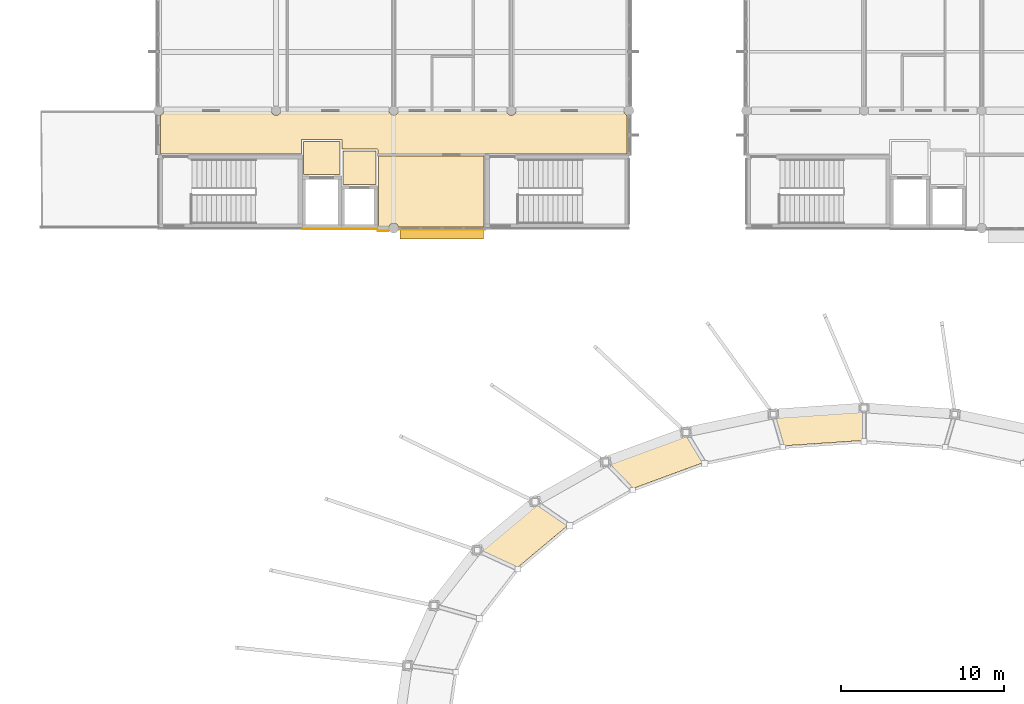
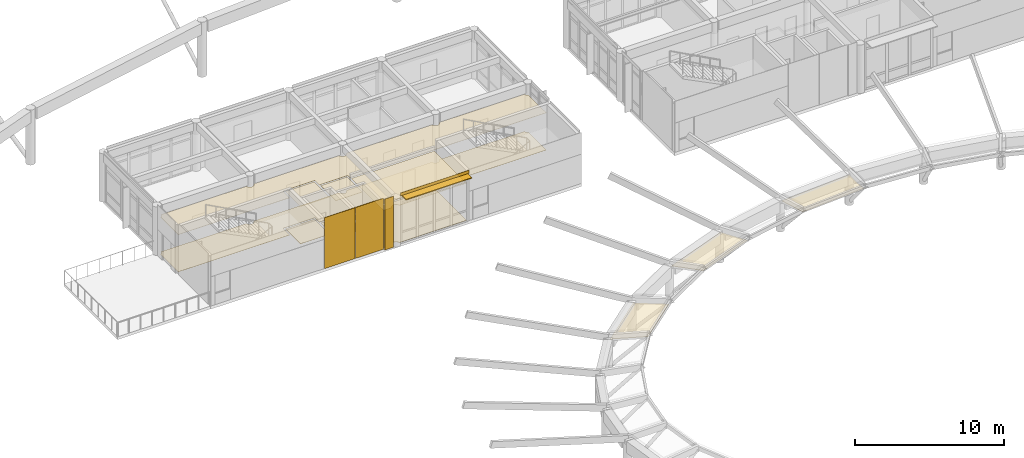
# One storey, part 32 of 37: 15 coverings, 1 shading device.
"""IFC4 building model written with IfcOpenShell, lengths in metres."""

from ifc_helpers import new_model, si_unit, direction, frame, origin, origin_2d, place, context, subcontext, project, spatial, polyline, rectangle, outline, extrude, material, layer, layer_set, type_object, element, save


model = new_model("IFC4")

# Units and contexts
model_context = context("Model", 3, precision=1e-05, world=origin(), true_north=direction((0.0, 1.0)))
body_context = subcontext(model_context, "Body", "Model", "MODEL_VIEW")
ifc_project = project(units=[si_unit("LENGTHUNIT", "METRE"), si_unit("AREAUNIT", "SQUARE_METRE"), si_unit("VOLUMEUNIT", "CUBIC_METRE"), si_unit("PLANEANGLEUNIT", "RADIAN"), si_unit("MASSUNIT", "GRAM", prefix="KILO")], contexts=[model_context])

# Site, building, storey
site_placement = place(None, origin())
site = spatial("IfcSite", under=ifc_project, at=site_placement, CompositionType="ELEMENT")
building_placement = place(site_placement, origin())
building = spatial("IfcBuilding", under=site, at=building_placement, Name="Namkhue Oval Health Centre", CompositionType="ELEMENT")
storey_placement = place(building_placement, frame((0.0, 0.0, 22.199951171875)))
storey = spatial("IfcBuildingStorey", under=building, at=storey_placement, Name="L05", CompositionType="ELEMENT", Elevation=22.199951171875)

# Coverings
ifc_material_1 = material(Name="Acoustic mineral-fibre cleanroom ceiling", Category="gypsum")
ifc_layer_1 = layer(ifc_material_1, 0.02001953125)
ifc_layer_set_1 = layer_set([ifc_layer_1], Name="Acoustic mineral-fibre cleanroom ceiling")
covering_type_1 = type_object("IfcCoveringType", Name="ACOUSTIC CLEANROOM CEILING 20", PredefinedType="CEILING", material=ifc_layer_set_1)
covering_1_placement = place(storey_placement, frame((0.0, 0.0, 3.050048828125)))
element("IfcCovering", 1, at=covering_1_placement, inside=storey, type_object=covering_type_1, Name="Acoustic Ceiling L05-LL1 Lift Lobby LF-01", PredefinedType="CEILING", context=body_context, shape_type="SweptSolid", body=[
    extrude(outline(polyline([(66.47998046875, 93.280029296875), (66.47998046875, 95.320068359375), (68.719970703125, 95.320068359375), (68.719970703125, 93.280029296875), (66.47998046875, 93.280029296875)])), origin(), (0.0, 0.0, 1.0), 0.02001953125),
])
covering_2_placement = place(storey_placement, frame((0.0, 0.0, 3.050048828125)))
element("IfcCovering", 2, at=covering_2_placement, inside=storey, type_object=covering_type_1, Name="Acoustic Ceiling L05-LL2 Lift Lobby LF-02", PredefinedType="CEILING", context=body_context, shape_type="SweptSolid", body=[
    extrude(outline(polyline([(68.8798828125, 92.679931640625), (68.8798828125, 94.719970703125), (70.919921875, 94.719970703125), (70.919921875, 92.679931640625), (68.8798828125, 92.679931640625)])), origin(), (0.0, 0.0, 1.0), 0.02001953125),
])
covering_3_placement = place(storey_placement, frame((0.0, 0.0, 3.050048828125)))
element("IfcCovering", 3, at=covering_3_placement, inside=storey, type_object=covering_type_1, Name="Acoustic Ceiling L05-V2-C1 V2 Clinical Corridor", PredefinedType="CEILING", context=body_context, shape_type="SweptSolid", body=[
    extrude(outline(polyline([(71.0400390625, 94.800048828125), (71.037109375, 94.815185546875), (71.0283203125, 94.828369140625), (71.015380859375, 94.8369140625), (71.0, 94.840087890625), (68.840087890625, 94.840087890625), (68.83984375, 95.40380859375), (68.8369140625, 95.415283203125), (68.828369140625, 95.42822265625), (68.815185546875, 95.43701171875), (68.803955078125, 95.439697265625), (66.39990234375, 95.43994140625), (66.384765625, 95.43701171875), (66.37158203125, 95.42822265625), (66.363037109375, 95.415283203125), (66.360107421875, 95.39990234375), (66.360107421875, 94.5400390625), (57.72509765625, 94.5400390625), (57.72509765625, 96.919189453125), (57.7548828125, 96.931396484375), (57.819091796875, 96.980712890625), (57.868408203125, 97.044921875), (57.8994140625, 97.119873046875), (57.90478515625, 97.159912109375), (64.520263671875, 97.159912109375), (64.524658203125, 97.126220703125), (64.55322265625, 97.0576171875), (64.598388671875, 96.99853515625), (64.657470703125, 96.953125), (64.726318359375, 96.9248046875), (64.800048828125, 96.9150390625), (64.873779296875, 96.9248046875), (64.9423828125, 96.953125), (65.00146484375, 96.99853515625), (65.046875, 97.0576171875), (65.0751953125, 97.126220703125), (65.07958984375, 97.159912109375), (71.72021484375, 97.159912109375), (71.724609375, 97.126220703125), (71.753173828125, 97.0576171875), (71.798583984375, 96.99853515625), (71.857421875, 96.953125), (71.92626953125, 96.9248046875), (72.0, 96.9150390625), (72.07373046875, 96.9248046875), (72.142578125, 96.953125), (72.201416015625, 96.99853515625), (72.246826171875, 97.0576171875), (72.275390625, 97.126220703125), (72.27978515625, 97.159912109375), (78.92041015625, 97.159912109375), (78.9248046875, 97.126220703125), (78.953125, 97.0576171875), (78.99853515625, 96.99853515625), (79.0576171875, 96.953125), (79.126220703125, 96.9248046875), (79.199951171875, 96.9150390625), (79.273681640625, 96.9248046875), (79.342529296875, 96.953125), (79.401611328125, 96.99853515625), (79.44677734375, 97.0576171875), (79.475341796875, 97.126220703125), (79.479736328125, 97.159912109375), (86.09521484375, 97.159912109375), (86.1005859375, 97.119873046875), (86.131591796875, 97.044921875), (86.180908203125, 96.980712890625), (86.2451171875, 96.931396484375), (86.27490234375, 96.919189453125), (86.27490234375, 94.5400390625), (71.0400390625, 94.5400390625), (71.0400390625, 94.800048828125)])), origin(), (0.0, 0.0, 1.0), 0.02001953125),
])
covering_4_placement = place(storey_placement, frame((0.0, 0.0, 3.050048828125)))
element("IfcCovering", 4, at=covering_4_placement, inside=storey, type_object=covering_type_1, Name="Acoustic Ceiling L05-207 North Terrace Antenatal Lounge", PredefinedType="CEILING", context=body_context, shape_type="SweptSolid", body=[
    extrude(outline(polyline([(72.297607421875, 90.0849609375), (72.2685546875, 90.155029296875), (72.21923828125, 90.21923828125), (72.155029296875, 90.2685546875), (72.080078125, 90.29931640625), (72.0, 90.31005859375), (71.919921875, 90.29931640625), (71.844970703125, 90.2685546875), (71.78076171875, 90.21923828125), (71.7314453125, 90.155029296875), (71.702392578125, 90.0849609375), (71.080078125, 90.0849609375), (71.080078125, 94.419921875), (77.52001953125, 94.419921875), (77.52001953125, 90.0849609375), (72.297607421875, 90.0849609375)])), origin(), (0.0, 0.0, 1.0), 0.02001953125),
])
ifc_material_2 = material(Name="Homogeneous anti-bacterial clinical vinyl flooring", Category="plastic")
ifc_layer_2 = layer(ifc_material_2, 0.014892578125)
ifc_layer_set_2 = layer_set([ifc_layer_2], Name="Homogeneous anti-bacterial clinical vinyl flooring")
covering_type_2 = type_object("IfcCoveringType", Name="CLINICAL ANTIBACTERIAL VINYL FLOORING 15", PredefinedType="FLOORING", material=ifc_layer_set_2)
covering_5_placement = place(storey_placement, origin())
element("IfcCovering", 5, at=covering_5_placement, inside=storey, type_object=covering_type_2, Name="Clinical Flooring L05-LL1 Lift Lobby LF-01", PredefinedType="FLOORING", context=body_context, shape_type="SweptSolid", body=[
    extrude(outline(polyline([(66.47998046875, 93.280029296875), (66.47998046875, 95.320068359375), (68.719970703125, 95.320068359375), (68.719970703125, 93.280029296875), (66.47998046875, 93.280029296875)])), origin(), (0.0, 0.0, 1.0), 0.01513671875),
])
covering_6_placement = place(storey_placement, origin())
element("IfcCovering", 6, at=covering_6_placement, inside=storey, type_object=covering_type_2, Name="Clinical Flooring L05-LL2 Lift Lobby LF-02", PredefinedType="FLOORING", context=body_context, shape_type="SweptSolid", body=[
    extrude(outline(polyline([(68.8798828125, 92.679931640625), (68.8798828125, 94.719970703125), (70.919921875, 94.719970703125), (70.919921875, 92.679931640625), (68.8798828125, 92.679931640625)])), origin(), (0.0, 0.0, 1.0), 0.01513671875),
])
covering_7_placement = place(storey_placement, origin())
element("IfcCovering", 7, at=covering_7_placement, inside=storey, type_object=covering_type_2, Name="Clinical Flooring L05-V2-C1 V2 Clinical Corridor", PredefinedType="FLOORING", context=body_context, shape_type="SweptSolid", body=[
    extrude(outline(polyline([(71.0400390625, 94.800048828125), (71.037109375, 94.815185546875), (71.0283203125, 94.828369140625), (71.015380859375, 94.8369140625), (71.0, 94.840087890625), (68.840087890625, 94.840087890625), (68.83984375, 95.40380859375), (68.8369140625, 95.415283203125), (68.828369140625, 95.42822265625), (68.815185546875, 95.43701171875), (68.803955078125, 95.439697265625), (66.39990234375, 95.43994140625), (66.384765625, 95.43701171875), (66.37158203125, 95.42822265625), (66.363037109375, 95.415283203125), (66.360107421875, 95.39990234375), (66.360107421875, 94.5400390625), (57.72509765625, 94.5400390625), (57.72509765625, 96.919189453125), (57.7548828125, 96.931396484375), (57.819091796875, 96.980712890625), (57.868408203125, 97.044921875), (57.8994140625, 97.119873046875), (57.90478515625, 97.159912109375), (64.520263671875, 97.159912109375), (64.524658203125, 97.126220703125), (64.55322265625, 97.0576171875), (64.598388671875, 96.99853515625), (64.657470703125, 96.953125), (64.726318359375, 96.9248046875), (64.800048828125, 96.9150390625), (64.873779296875, 96.9248046875), (64.9423828125, 96.953125), (65.00146484375, 96.99853515625), (65.046875, 97.0576171875), (65.0751953125, 97.126220703125), (65.07958984375, 97.159912109375), (71.72021484375, 97.159912109375), (71.724609375, 97.126220703125), (71.753173828125, 97.0576171875), (71.798583984375, 96.99853515625), (71.857421875, 96.953125), (71.92626953125, 96.9248046875), (72.0, 96.9150390625), (72.07373046875, 96.9248046875), (72.142578125, 96.953125), (72.201416015625, 96.99853515625), (72.246826171875, 97.0576171875), (72.275390625, 97.126220703125), (72.27978515625, 97.159912109375), (78.92041015625, 97.159912109375), (78.9248046875, 97.126220703125), (78.953125, 97.0576171875), (78.99853515625, 96.99853515625), (79.0576171875, 96.953125), (79.126220703125, 96.9248046875), (79.199951171875, 96.9150390625), (79.273681640625, 96.9248046875), (79.342529296875, 96.953125), (79.401611328125, 96.99853515625), (79.44677734375, 97.0576171875), (79.475341796875, 97.126220703125), (79.479736328125, 97.159912109375), (86.09521484375, 97.159912109375), (86.1005859375, 97.119873046875), (86.131591796875, 97.044921875), (86.180908203125, 96.980712890625), (86.2451171875, 96.931396484375), (86.27490234375, 96.919189453125), (86.27490234375, 94.5400390625), (71.0400390625, 94.5400390625), (71.0400390625, 94.800048828125)])), origin(), (0.0, 0.0, 1.0), 0.01513671875),
])
covering_8_placement = place(storey_placement, origin())
element("IfcCovering", 8, at=covering_8_placement, inside=storey, type_object=covering_type_2, Name="Clinical Flooring L05-207 North Terrace Antenatal Lounge", PredefinedType="FLOORING", context=body_context, shape_type="SweptSolid", body=[
    extrude(outline(polyline([(72.297607421875, 90.0849609375), (72.2685546875, 90.155029296875), (72.21923828125, 90.21923828125), (72.155029296875, 90.2685546875), (72.080078125, 90.29931640625), (72.0, 90.31005859375), (71.919921875, 90.29931640625), (71.844970703125, 90.2685546875), (71.78076171875, 90.21923828125), (71.7314453125, 90.155029296875), (71.702392578125, 90.0849609375), (71.080078125, 90.0849609375), (71.080078125, 94.419921875), (77.52001953125, 94.419921875), (77.52001953125, 90.0849609375), (72.297607421875, 90.0849609375)])), origin(), (0.0, 0.0, 1.0), 0.01513671875),
])
ifc_material_3 = material(Name="Slatted FSC timber acoustic soffit lining", Category="wood")
ifc_layer_3 = layer(ifc_material_3, 0.0400390625)
ifc_layer_set_3 = layer_set([ifc_layer_3], Name="Slatted FSC timber acoustic soffit lining")
covering_type_3 = type_object("IfcCoveringType", Name="SLATTED TIMBER SOFFIT CEILING 40", PredefinedType="CEILING", material=ifc_layer_set_3)
covering_9_placement = place(storey_placement, frame((100.758056640625, 78.908935546875, 2.40185546875), z_axis=(-0.001296762498, 0.019156349547, 0.999815659349), x_axis=(-0.997715626831, -0.067553889434, 2.85764e-07)))
element("IfcCovering", 9, at=covering_9_placement, inside=storey, type_object=covering_type_3, Name="Gridshell Canopy Slatted Timber Soffit K6-9", PredefinedType="CEILING", context=body_context, shape_type="SweptSolid", body=[
    extrude(outline(polyline([(0.0, 0.0), (5.464386997944695, -5.551115123125783e-17), (5.052832526387066, 1.8945389594800466), (0.12826334001554407, 1.8946935822899484), (0.0, 0.0)])), origin(), (0.0, 0.0, -1.0), 0.0400390625),
])
covering_10_placement = place(storey_placement, frame((89.89599609375, 77.416748046875, 2.401611328125), z_axis=(-0.006286873286, 0.0171090781, 0.999833863535), x_axis=(-0.938631478899, -0.344921653163, 2.34372e-07)))
element("IfcCovering", 10, at=covering_10_placement, inside=storey, type_object=covering_type_3, Name="Gridshell Canopy Slatted Timber Soffit K6-11", PredefinedType="CEILING", context=body_context, shape_type="SweptSolid", body=[
    extrude(outline(polyline([(0.0, 0.0), (5.14015047149964, 0.0), (4.239630039149616, 2.0224409553157385), (-0.38911226761580453, 2.0225665643696633), (0.0, 0.0)])), origin(), (0.0, 0.0, -1.0), 0.0400390625),
])
covering_11_placement = place(storey_placement, frame((80.6826171875, 73.1796875, 2.4013671875), z_axis=(-0.010337239076, 0.012340743317, 0.999870415375), x_axis=(-0.76658877915, -0.642138336873, 5.2913e-08)))
element("IfcCovering", 11, at=covering_11_placement, inside=storey, type_object=covering_type_3, Name="Gridshell Canopy Slatted Timber Soffit K6-13", PredefinedType="CEILING", context=body_context, shape_type="SweptSolid", body=[
    extrude(outline(polyline([(0.0, 0.0), (4.517909735858683, 0.0), (3.4173071371894994, 2.320340470503078), (-0.6451573638650602, 2.3203686734164597), (0.0, 0.0)])), origin(), (0.0, 0.0, -1.0), 0.0400390625),
])

# Shading device
ifc_material_4 = material(Name="Anodised aluminium EN AW-6063 T6", Category="aluminium")
ifc_layer_4 = layer(ifc_material_4, 0.050048828125)
ifc_layer_set_4 = layer_set([ifc_layer_4], Name="Anodised aluminium EN AW-6063 T6")
shading_device_type = type_object("IfcShadingDeviceType", Name="STORM SHUTTER LOUVRE 650", PredefinedType="SHUTTER", material=ifc_layer_set_4)
shading_device_placement = place(storey_placement, frame((74.946533203125, 89.675048828125, 3.905029296875), z_axis=(0.0, 0.0, 1.0), x_axis=(1.0, 0.0, 0.0)))
element("IfcShadingDevice", 12, at=shading_device_placement, inside=storey, type_object=shading_device_type, Name="Volume V2 L05 Horizontal Monsoon Sun Louvre 109", PredefinedType="SHUTTER", context=body_context, shape_type="SweptSolid", body=[
    extrude(rectangle(XDim=5.10302734375, YDim=0.64990234375, at=origin_2d()), origin(), (0.0, 0.0, 1.0), 0.06005859375),
])

# Coverings
ifc_material_5 = material(Name="White glass-fibre reinforced concrete GRC rainscreen cladding", Category="concrete")
ifc_layer_5 = layer(ifc_material_5, 0.02490234375)
ifc_layer_set_5 = layer_set([ifc_layer_5], Name="White glass-fibre reinforced concrete GRC rainscreen cladding")
covering_type_4 = type_object("IfcCoveringType", Name="WHITE GRC RAINSCREEN CLADDING 25", PredefinedType="CLADDING", material=ifc_layer_set_5)
covering_12_placement = place(storey_placement, frame((71.353515625, 89.822998046875, 0.01025390625), z_axis=(0.0, 0.0, 1.0), x_axis=(1.0, 0.0, 0.0)))
element("IfcCovering", 13, at=covering_12_placement, inside=storey, type_object=covering_type_4, Name="Volume V2 L05 Facade 48 White GRC Cladding 1", PredefinedType="CLADDING", context=body_context, shape_type="SweptSolid", body=[
    extrude(rectangle(XDim=0.6630859375, YDim=0.02490234375, at=origin_2d()), origin(), (0.0, 0.0, 1.0), 4.179931640625),
])
covering_13_placement = place(storey_placement, frame((74.946533203125, 89.91162109375, 3.9599609375), z_axis=(0.0, 0.0, 1.0), x_axis=(1.0, 0.0, 0.0)))
element("IfcCovering", 14, at=covering_13_placement, inside=storey, type_object=covering_type_4, Name="Volume V2 L05 Curtain Wall Spandrel Cladding 85", PredefinedType="CLADDING", context=body_context, shape_type="SweptSolid", body=[
    extrude(rectangle(XDim=5.29296875, YDim=0.02490234375, at=origin_2d()), origin(), (0.0, 0.0, 1.0), 0.239990234375),
])
covering_14_placement = place(storey_placement, frame((67.60009765625, 89.962890625, 0.01025390625), z_axis=(0.0, 0.0, 1.0), x_axis=(1.0, 0.0, 0.0)))
element("IfcCovering", 15, at=covering_14_placement, inside=storey, type_object=covering_type_4, Name="Lift LF-01 L05 S White GRC Cladding 1", PredefinedType="CLADDING", context=body_context, shape_type="SweptSolid", body=[
    extrude(rectangle(XDim=2.360107421875, YDim=0.02490234375, at=origin_2d()), origin(), (0.0, 0.0, 1.0), 4.179931640625),
])
covering_15_placement = place(storey_placement, frame((69.89990234375, 89.962890625, 0.01025390625), z_axis=(0.0, 0.0, 1.0), x_axis=(1.0, 0.0, 0.0)))
element("IfcCovering", 16, at=covering_15_placement, inside=storey, type_object=covering_type_4, Name="Lift LF-02 L05 S White GRC Cladding 1", PredefinedType="CLADDING", context=body_context, shape_type="SweptSolid", body=[
    extrude(rectangle(XDim=2.159912109375, YDim=0.02490234375, at=origin_2d()), origin(), (0.0, 0.0, 1.0), 4.179931640625),
])

save(model, "model.ifc")
